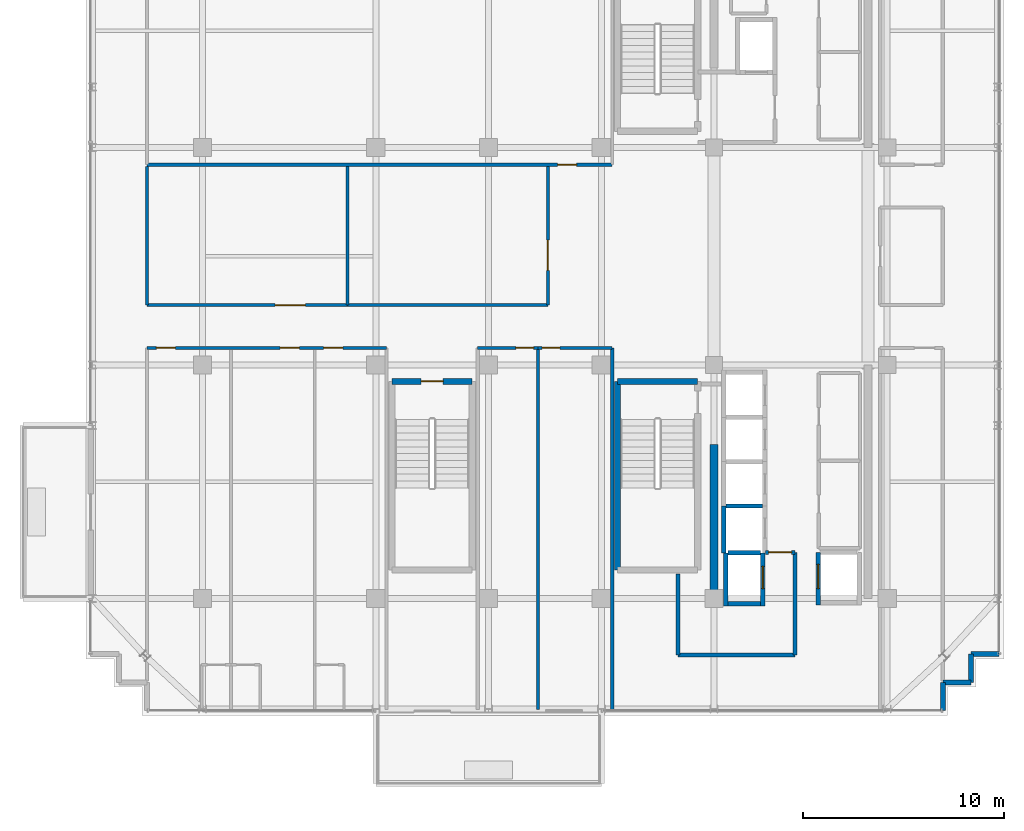
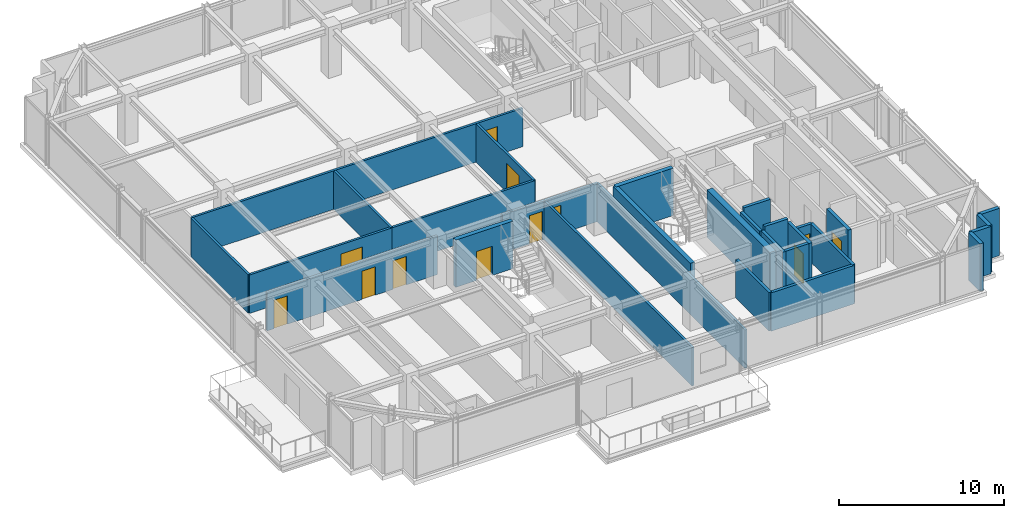
# One storey, part 25 of 31: 30 walls, 12 doors, 12 openings.
"""IFC4 building model written with IfcOpenShell, lengths in metres."""

import ifcopenshell
import ifcopenshell.guid

model = None  # the IFC model being written
_history = None  # IfcOwnerHistory: only IFC2X3 demands one
_inside = {}  # id of a spatial element -> (the spatial element, [elements in it])
_under = {}  # id of a project, library or spatial element -> (it, [spatial elements below it])
_declared = {}  # id of a project -> (the project, [libraries it declares])
_typed = {}  # id of a type object -> (the type object, [elements of that type])
_made_of = {}  # id of a material, layer set ... -> (it, [elements and type objects made of it])


def new_model(schema):
    """Start an empty IFC model of exactly this schema.

    Asked for "IFC4X3", IfcOpenShell would pick the latest addendum, in which some entities
    have other attributes; the version numbers below select the first issue.
    IFC2X3 requires an IfcOwnerHistory on every rooted entity: one is made here for all.
    """
    global model, _history
    if schema == "IFC4X3":
        model = ifcopenshell.file(schema_version=(4, 3, 0, 0))
    else:
        model = ifcopenshell.file(schema=schema)
    _inside.clear()
    _under.clear()
    _declared.clear()
    _typed.clear()
    _made_of.clear()
    _history = None
    if model.schema == "IFC2X3":
        org = make("IfcOrganization", Name="unknown")
        user = make(
            "IfcPersonAndOrganization",
            ThePerson=make("IfcPerson", FamilyName="unknown"),
            TheOrganization=org,
        )
        app = make(
            "IfcApplication",
            ApplicationDeveloper=org,
            Version="unknown",
            ApplicationFullName="unknown",
            ApplicationIdentifier="unknown",
        )
        _history = make(
            "IfcOwnerHistory",
            OwningUser=user,
            OwningApplication=app,
            ChangeAction="ADDED",
            CreationDate=0,
        )
    return model


def make(cls, **values):
    """One entity of the class cls with the attributes given. An attribute that is None is left unset."""
    return model.create_entity(
        cls, **{name: value for name, value in values.items() if value is not None}
    )


def rooted(cls, **values):
    """An entity with a GlobalId (a new one), such as an element, a storey or a relation."""
    return make(cls, GlobalId=ifcopenshell.guid.new(), OwnerHistory=_history, **values)


def si_unit(unit_type, name, prefix=None):
    """IfcSIUnit, for example si_unit("LENGTHUNIT", "METRE", prefix="MILLI")."""
    return make("IfcSIUnit", UnitType=unit_type, Prefix=prefix, Name=name)


def assignment(units):
    """IfcUnitAssignment: the units of a project."""
    return None if units is None else make("IfcUnitAssignment", Units=units)


def point(xyz):
    """IfcCartesianPoint."""
    return None if xyz is None else make("IfcCartesianPoint", Coordinates=xyz)


def direction(xyz):
    """IfcDirection."""
    return None if xyz is None else make("IfcDirection", DirectionRatios=xyz)


def frame(location, z_axis=None, x_axis=None):
    """IfcAxis2Placement3D, a coordinate frame: its origin and axes. An axis left out is left unset."""
    return make(
        "IfcAxis2Placement3D",
        Location=point(location),
        Axis=direction(z_axis),
        RefDirection=direction(x_axis),
    )


def frame_2d(location, x_axis=None):
    """IfcAxis2Placement2D, a coordinate frame in the plane: its origin and x axis."""
    return make(
        "IfcAxis2Placement2D", Location=point(location), RefDirection=direction(x_axis)
    )


def origin():
    """The frame at (0, 0, 0) with its axes left unset."""
    return frame((0.0, 0.0, 0.0))


def place(relative_to, where):
    """IfcLocalPlacement: puts the frame where relative to a parent placement (None: the world)."""
    return make(
        "IfcLocalPlacement", PlacementRelTo=relative_to, RelativePlacement=where
    )


def context(
    kind, dimensions, precision=None, world=None, true_north=None, identifier=None
):
    """IfcGeometricRepresentationContext, for example the 3D "Model" context."""
    return make(
        "IfcGeometricRepresentationContext",
        ContextIdentifier=identifier,
        ContextType=kind,
        CoordinateSpaceDimension=dimensions,
        Precision=precision,
        WorldCoordinateSystem=world,
        TrueNorth=true_north,
    )


def subcontext(parent, identifier, kind, view, scale=None):
    """IfcGeometricRepresentationSubContext, for example "Body" below "Model"."""
    return make(
        "IfcGeometricRepresentationSubContext",
        ContextIdentifier=identifier,
        ContextType=kind,
        ParentContext=parent,
        TargetScale=scale,
        TargetView=view,
    )


def project(units=None, contexts=None):
    """IfcProject with its units and contexts."""
    return rooted(
        "IfcProject",
        Name="project",
        RepresentationContexts=contexts,
        UnitsInContext=assignment(units),
    )


def spatial(cls, under=None, at=None, **own):
    """A site, building, storey or space (cls), placed at a placement, below another one or the project."""
    s = rooted(cls, ObjectPlacement=at, **own)
    if under is not None:
        _under.setdefault(under.id(), (under, []))[1].append(s)
    return s


def profile(cls, at=None, kind="AREA", **sizes):
    """A parametric profile (cls). Its sizes go by their IFC names, for example OverallWidth=200.0."""
    return make(cls, ProfileType=kind, Position=at, **sizes)


def rectangle(**sizes):
    """IfcRectangleProfileDef."""
    return profile("IfcRectangleProfileDef", **sizes)


def extrude(swept, where, along, depth):
    """IfcExtrudedAreaSolid: the profile swept, set in the frame where, extruded along a direction by depth."""
    return make(
        "IfcExtrudedAreaSolid",
        SweptArea=swept,
        Position=where,
        ExtrudedDirection=direction(along),
        Depth=depth,
    )


def shape(context_of_items, identifier, shape_type, items):
    """IfcShapeRepresentation: the items that make up one representation, for example the "Body"."""
    return make(
        "IfcShapeRepresentation",
        ContextOfItems=context_of_items,
        RepresentationIdentifier=identifier,
        RepresentationType=shape_type,
        Items=items,
    )


def source(mapping_origin, context_of_items, identifier, shape_type, items):
    """IfcRepresentationMap: a shape defined once, which mapped items show again and again."""
    return make(
        "IfcRepresentationMap",
        MappingOrigin=mapping_origin,
        MappedRepresentation=shape(context_of_items, identifier, shape_type, items),
    )


def transform(
    local_origin,
    x_axis=None,
    y_axis=None,
    z_axis=None,
    scale=None,
    scale2=None,
    scale3=None,
    uniform=True,
):
    """IfcCartesianTransformationOperator3D, or its non-uniform kind. x_axis, y_axis, z_axis: its Axis1, 2, 3."""
    if uniform:
        return make(
            "IfcCartesianTransformationOperator3D",
            Axis1=direction(x_axis),
            Axis2=direction(y_axis),
            LocalOrigin=point(local_origin),
            Scale=scale,
            Axis3=direction(z_axis),
        )
    return make(
        "IfcCartesianTransformationOperator3DnonUniform",
        Axis1=direction(x_axis),
        Axis2=direction(y_axis),
        LocalOrigin=point(local_origin),
        Scale=scale,
        Axis3=direction(z_axis),
        Scale2=scale2,
        Scale3=scale3,
    )


def mapped(mapping_source, mapping_target):
    """IfcMappedItem: shows the shape of a source again, moved by a transform."""
    return make(
        "IfcMappedItem", MappingSource=mapping_source, MappingTarget=mapping_target
    )


def material(Name=None, Category=None):
    """IfcMaterial."""
    return make("IfcMaterial", Name=Name, Category=Category)


def layer(
    of_material, thickness, ventilated=None, Name=None, Category=None, Priority=None
):
    """IfcMaterialLayer: one layer of a wall or slab, of a material (None: an air gap)."""
    return make(
        "IfcMaterialLayer",
        Material=of_material,
        LayerThickness=thickness,
        IsVentilated=ventilated,
        Name=Name,
        Category=Category,
        Priority=Priority,
    )


def layer_set(layers, Name=None):
    """IfcMaterialLayerSet."""
    return make("IfcMaterialLayerSet", MaterialLayers=layers, LayerSetName=Name)


def made_of(thing, what):
    """Note that an element or type object is made of a material, layer set ...; save() writes the relation."""
    if what is not None:
        _made_of.setdefault(what.id(), (what, []))[1].append(thing)
    return thing


def type_object(cls, material=None, **own):
    """A type object (cls), such as IfcWallType, which elements share."""
    return made_of(rooted(cls, **own), material)


def element(
    cls,
    number,
    at=None,
    inside=None,
    cuts=None,
    type_object=None,
    material=None,
    context=None,
    identifier="Body",
    shape_type=None,
    held_by="IfcProductDefinitionShape",
    body=None,
    shapes=None,
    **own,
):
    """One element of the class cls, such as IfcWall. Its Tag is "e" and its number.

    at: its placement. inside: the storey or other place that contains it. cuts: it is an
    opening in that element (IfcRelVoidsElement). A single representation is given by context,
    identifier, shape_type and body (its items); several are given by shapes. held_by: the class
    of the entity that holds the representations. save() writes the other relations.
    """
    e = rooted(cls, Tag="e%d" % number, ObjectPlacement=at, **own)
    if body is not None:
        shapes = [shape(context, identifier, shape_type, body)]
    if shapes is not None:
        e.Representation = make(held_by, Representations=shapes)
    if inside is not None:
        _inside.setdefault(inside.id(), (inside, []))[1].append(e)
    if cuts is not None:
        rooted(
            "IfcRelVoidsElement", RelatingBuildingElement=cuts, RelatedOpeningElement=e
        )
    if type_object is not None:
        _typed.setdefault(type_object.id(), (type_object, []))[1].append(e)
    return made_of(e, material)


def fill(opening, filler):
    """IfcRelFillsElement: the door or window that sits in an opening."""
    return rooted(
        "IfcRelFillsElement",
        RelatingOpeningElement=opening,
        RelatedBuildingElement=filler,
    )


def aggregate(whole, parts):
    """IfcRelAggregates: a whole, such as a stair, and the parts it consists of."""
    return rooted("IfcRelAggregates", RelatingObject=whole, RelatedObjects=parts)


def save(model, path):
    """Write the relations noted so far, then the file.

    IfcRelAggregates (storeys below a building ...), IfcRelContainedInSpatialStructure (elements
    in a storey), IfcRelDefinesByType, IfcRelAssociatesMaterial and IfcRelDeclares: one each for
    every whole, place, type object, material and project.
    """
    for whole, parts in _under.values():
        aggregate(whole, parts)
    for where, things in _inside.values():
        rooted(
            "IfcRelContainedInSpatialStructure",
            RelatedElements=things,
            RelatingStructure=where,
        )
    for kind, things in _typed.values():
        rooted("IfcRelDefinesByType", RelatedObjects=things, RelatingType=kind)
    for what, things in _made_of.values():
        rooted("IfcRelAssociatesMaterial", RelatedObjects=things, RelatingMaterial=what)
    for by, libraries in _declared.values():
        rooted("IfcRelDeclares", RelatingContext=by, RelatedDefinitions=libraries)
    model.write(path)


model = new_model("IFC4")

# Units and contexts
model_context = context("Model", 3, precision=1e-05, world=origin(), true_north=direction((0.0, 1.0)))
body_context = subcontext(model_context, "Body", "Model", "MODEL_VIEW")
ifc_project = project(units=[si_unit("LENGTHUNIT", "METRE"), si_unit("AREAUNIT", "SQUARE_METRE"), si_unit("VOLUMEUNIT", "CUBIC_METRE"), si_unit("PLANEANGLEUNIT", "RADIAN"), si_unit("MASSUNIT", "GRAM", prefix="KILO")], contexts=[model_context])

# Site, building, storey
site_placement = place(None, origin())
site = spatial("IfcSite", under=ifc_project, at=site_placement, CompositionType="ELEMENT")
building_placement = place(site_placement, origin())
building = spatial("IfcBuilding", under=site, at=building_placement, Name="Nahalor Promenade Grand Hotel", CompositionType="ELEMENT")
storey_placement = place(building_placement, frame((0.0, 0.0, 323.35009765625)))
storey = spatial("IfcBuildingStorey", under=building, at=storey_placement, Name="L83", CompositionType="ELEMENT", Elevation=323.35009765625)

# Walls
ifc_material_1 = material(Name="Concrete B-50 (C40/50)", Category="concrete")
ifc_layer_1 = layer(ifc_material_1, 0.39990234375)
ifc_layer_set_1 = layer_set([ifc_layer_1], Name="Concrete B-50 (C40/50)")
wall_type_1 = type_object("IfcWallType", Name="Wall-CoreShear-400", PredefinedType="SHEAR", material=ifc_layer_set_1)
shared_shape_1 = source(origin(), body_context, "Body", "SweptSolid", [
    extrude(rectangle(XDim=7.64990234375, YDim=0.39990234375, at=frame_2d((3.824951171875, 0.0))), origin(), (0.0, 0.0, 1.0), 3.5),
])
wall_1_placement = place(storey_placement, frame((8.39990234375, -17.0, 0.0), z_axis=(0.0, 0.0, 1.0), x_axis=(0.0, 1.0, 0.0)))
element("IfcWall", 1, at=wall_1_placement, inside=storey, type_object=wall_type_1, Name="CWALL-L83-SW", PredefinedType="SHEAR", context=body_context, shape_type="MappedRepresentation", body=[
    mapped(shared_shape_1, transform((0.0, 0.0, 0.0), scale=1.0)),
])
ifc_layer_2 = layer(ifc_material_1, 0.300048828125)
ifc_layer_set_2 = layer_set([ifc_layer_2], Name="Concrete B-50 (C40/50)")
wall_type_2 = type_object("IfcWallType", Name="Wall-ShaftShear-300", PredefinedType="SHEAR", material=ifc_layer_set_2)
shared_shape_2 = source(origin(), body_context, "Body", "SweptSolid", [
    extrude(rectangle(XDim=3.97998046875, YDim=0.300048828125, at=frame_2d((1.989990234375, 0.0))), origin(), (0.0, 0.0, 1.0), 3.5),
])
wall_2_placement = place(storey_placement, frame((3.610107421875, -6.2099609375, 0.0), z_axis=(0.0, 0.0, 1.0), x_axis=(1.0, 0.0, 0.0)))
element("IfcWall", 2, at=wall_2_placement, inside=storey, type_object=wall_type_2, Name="L83 Exit Stair ST2 Shaft Wall N", PredefinedType="SHEAR", context=body_context, shape_type="MappedRepresentation", body=[
    mapped(shared_shape_2, transform((0.0, 0.0, 0.0), scale=1.0)),
])

# Wall, opening, door
wall_3_placement = place(storey_placement, frame((-7.590087890625, -6.2099609375, 0.0), z_axis=(0.0, 0.0, 1.0), x_axis=(1.0, 0.0, 0.0)))
wall_3 = element("IfcWall", 3, at=wall_3_placement, inside=storey, type_object=wall_type_2, Name="L83 Exit Stair ST3 Shaft Wall N", PredefinedType="SHEAR", context=body_context, shape_type="MappedRepresentation", body=[
    mapped(shared_shape_2, transform((0.0, 0.0, 0.0), scale=1.0)),
])
opening_1_placement = place(wall_3_placement, frame((1.43994140625, 0.0, 0.0)))
opening_1 = element("IfcOpeningElement", 4, at=opening_1_placement, cuts=wall_3, Name="Opening D-ST1", PredefinedType="OPENING", context=body_context, shape_type="SweptSolid", body=[
    extrude(rectangle(XDim=1.10009765625, YDim=2.14990234375, at=frame_2d((0.550048828125, 1.074951171875))), frame((0.0, 0.159912109375, 0.0), z_axis=(0.0, -1.0, 0.0), x_axis=(1.0, 0.0, 0.0)), (0.0, 0.0, 1.0), 0.320068359375),
])
ifc_material_2 = material(Name="Steel S355JR", Category="steel")
door_type_1 = type_object("IfcDoorType", Name="Door-StairFire-1100", OperationType="NOTDEFINED", PredefinedType="DOOR", material=ifc_material_2)
shared_shape_3 = source(origin(), body_context, "Body", "SweptSolid", [
    extrude(rectangle(XDim=1.10009765625, YDim=2.14990234375, at=frame_2d((0.550048828125, 1.074951171875))), frame((0.0, 0.02490234375, 0.0), z_axis=(0.0, -1.0, 0.0), x_axis=(1.0, 0.0, 0.0)), (0.0, 0.0, 1.0), 0.050048828125),
])
door_1_placement = place(opening_1_placement, frame((1.10009765625, 0.0, 0.0), z_axis=(0.0, 0.0, 1.0), x_axis=(-1.0, 0.0, 0.0)))
door_1 = element("IfcDoor", 5, at=door_1_placement, inside=storey, type_object=door_type_1, Name="DR-STAIR-ST3-L83", OperationType="SINGLE_SWING_RIGHT", OverallHeight=2.14990234375, OverallWidth=1.10009765625, PredefinedType="DOOR", context=body_context, shape_type="MappedRepresentation", body=[
    mapped(shared_shape_3, transform((0.0, 0.0, 0.0), scale=1.0)),
])
fill(opening_1, door_1)

# Walls
shared_shape_4 = source(origin(), body_context, "Body", "SweptSolid", [
    extrude(rectangle(XDim=9.380126953125, YDim=0.300048828125, at=frame_2d((4.68994140625, 0.0))), origin(), (0.0, 0.0, 1.0), 3.5),
])
wall_4_placement = place(storey_placement, frame((3.610107421875, -15.590087890625, 0.0), z_axis=(0.0, 0.0, 1.0), x_axis=(0.0, 1.0, 0.0)))
element("IfcWall", 6, at=wall_4_placement, inside=storey, type_object=wall_type_2, Name="L83 Exit Stair ST2 Shaft Wall W", PredefinedType="SHEAR", context=body_context, shape_type="MappedRepresentation", body=[
    mapped(shared_shape_4, transform((0.0, 0.0, 0.0), scale=1.0)),
])
ifc_layer_3 = layer(ifc_material_1, 0.219970703125)
ifc_layer_set_3 = layer_set([ifc_layer_3], Name="Concrete B-50 (C40/50)")
wall_type_3 = type_object("IfcWallType", Name="Wall-LiftShaft-220", PredefinedType="SHEAR", material=ifc_layer_set_3)
shared_shape_5 = source(origin(), body_context, "Body", "SweptSolid", [
    extrude(rectangle(XDim=1.820068359375, YDim=0.219970703125, at=frame_2d((0.91015625, 0.0))), origin(), (0.0, 0.0, 1.0), 3.7998046875),
])
wall_5_placement = place(storey_placement, frame((8.989990234375, -12.39990234375, 0.0), z_axis=(0.0, 0.0, 1.0), x_axis=(1.0, 0.0, 0.0)))
element("IfcWall", 7, at=wall_5_placement, inside=storey, type_object=wall_type_3, Name="L83 Lift PL12 Hoistway Wall N", PredefinedType="SHEAR", context=body_context, shape_type="MappedRepresentation", body=[
    mapped(shared_shape_5, transform((0.0, 0.0, 0.0), scale=1.0)),
])
shared_shape_6 = source(origin(), body_context, "Body", "SweptSolid", [
    extrude(rectangle(XDim=2.3251953125, YDim=0.219970703125, at=frame_2d((1.16259765625, 0.0))), origin(), (0.0, 0.0, 1.0), 3.5),
])
wall_6_placement = place(storey_placement, frame((8.8798828125, -14.72509765625, 0.0), z_axis=(0.0, 0.0, 1.0), x_axis=(0.0, 1.0, 0.0)))
element("IfcWall", 8, at=wall_6_placement, inside=storey, type_object=wall_type_3, Name="L83 Lift PL12 Hoistway Wall W", PredefinedType="SHEAR", context=body_context, shape_type="MappedRepresentation", body=[
    mapped(shared_shape_6, transform((0.0, 0.0, 0.0), scale=1.0)),
])
shared_shape_7 = source(origin(), body_context, "Body", "SweptSolid", [
    extrude(rectangle(XDim=2.635009765625, YDim=0.219970703125, at=frame_2d((1.3173828125, 0.0))), origin(), (0.0, 0.0, 1.0), 3.5),
])
wall_7_placement = place(storey_placement, frame((8.97998046875, -17.360107421875, 0.0), z_axis=(0.0, 0.0, 1.0), x_axis=(0.0, 1.0, 0.0)))
element("IfcWall", 9, at=wall_7_placement, inside=storey, type_object=wall_type_3, Name="L83 Lift FL2 Hoistway Wall W", PredefinedType="SHEAR", context=body_context, shape_type="MappedRepresentation", body=[
    mapped(shared_shape_7, transform((0.0, 0.0, 0.0), scale=1.0)),
])

# Wall, opening, door
wall_8_placement = place(storey_placement, frame((10.820068359375, -17.360107421875, 0.0), z_axis=(0.0, 0.0, 1.0), x_axis=(0.0, 1.0, 0.0)))
wall_8 = element("IfcWall", 10, at=wall_8_placement, inside=storey, type_object=wall_type_3, Name="L83 Lift FL2 Hoistway Wall E", PredefinedType="SHEAR", context=body_context, shape_type="MappedRepresentation", body=[
    mapped(shared_shape_7, transform((0.0, 0.0, 0.0), scale=1.0)),
])
opening_2_placement = place(wall_8_placement, frame((0.860107421875, 0.0, 0.0)))
opening_2 = element("IfcOpeningElement", 11, at=opening_2_placement, cuts=wall_8, Name="Opening LD-02", PredefinedType="OPENING", context=body_context, shape_type="SweptSolid", body=[
    extrude(rectangle(XDim=1.10009765625, YDim=2.199951171875, at=frame_2d((0.550048828125, 1.10009765625))), frame((0.0, 0.119873046875, 0.0), z_axis=(0.0, -1.0, 0.0), x_axis=(1.0, 0.0, 0.0)), (0.0, 0.0, 1.0), 0.239990234375),
])
door_type_2 = type_object("IfcDoorType", Name="Door-LiftFF-1100", OperationType="DOUBLE_DOOR_SLIDING", PredefinedType="DOOR", material=ifc_material_2)
shared_shape_8 = source(origin(), body_context, "Body", "SweptSolid", [
    extrude(rectangle(XDim=1.10009765625, YDim=2.199951171875, at=frame_2d((0.550048828125, 1.10009765625))), frame((0.0, 0.02490234375, 0.0), z_axis=(0.0, -1.0, 0.0), x_axis=(1.0, 0.0, 0.0)), (0.0, 0.0, 1.0), 0.050048828125),
])
door_2_placement = place(opening_2_placement, frame((1.10009765625, 0.0, 0.0), z_axis=(0.0, 0.0, 1.0), x_axis=(-1.0, 0.0, 0.0)))
door_2 = element("IfcDoor", 12, at=door_2_placement, inside=storey, type_object=door_type_2, Name="DR-LIFT-FL2-L83", OperationType="DOUBLE_DOOR_SLIDING", OverallHeight=2.199951171875, OverallWidth=1.10009765625, PredefinedType="DOOR", context=body_context, shape_type="MappedRepresentation", body=[
    mapped(shared_shape_8, transform((0.0, 0.0, 0.0), scale=1.0)),
])
fill(opening_2, door_2)

# Walls
shared_shape_9 = source(origin(), body_context, "Body", "SweptSolid", [
    extrude(rectangle(XDim=1.619873046875, YDim=0.219970703125, at=frame_2d((0.81005859375, 0.0))), origin(), (0.0, 0.0, 1.0), 3.5),
])
wall_9_placement = place(storey_placement, frame((9.090087890625, -17.25, 0.0), z_axis=(0.0, 0.0, 1.0), x_axis=(1.0, 0.0, 0.0)))
element("IfcWall", 13, at=wall_9_placement, inside=storey, type_object=wall_type_3, Name="L83 Lift FL2 Hoistway Wall S", PredefinedType="SHEAR", context=body_context, shape_type="MappedRepresentation", body=[
    mapped(shared_shape_9, transform((0.0, 0.0, 0.0), scale=1.0)),
])
shared_shape_10 = source(origin(), body_context, "Body", "SweptSolid", [
    extrude(rectangle(XDim=1.619873046875, YDim=0.219970703125, at=frame_2d((0.81005859375, 0.0))), origin(), (0.0, 0.0, 1.0), 3.7998046875),
])
wall_10_placement = place(storey_placement, frame((9.090087890625, -14.72509765625, 0.0), z_axis=(0.0, 0.0, 1.0), x_axis=(1.0, 0.0, 0.0)))
element("IfcWall", 14, at=wall_10_placement, inside=storey, type_object=wall_type_3, Name="L83 Lift FL2 Hoistway Wall N", PredefinedType="SHEAR", context=body_context, shape_type="MappedRepresentation", body=[
    mapped(shared_shape_10, transform((0.0, 0.0, 0.0), scale=1.0)),
])

# Wall, opening, door
shared_shape_11 = source(origin(), body_context, "Body", "SweptSolid", [
    extrude(rectangle(XDim=2.610107421875, YDim=0.219970703125, at=frame_2d((1.30517578125, 0.0))), origin(), (0.0, 0.0, 1.0), 3.5),
])
wall_11_placement = place(storey_placement, frame((13.580078125, -17.31005859375, 0.0), z_axis=(0.0, 0.0, 1.0), x_axis=(0.0, 1.0, 0.0)))
wall_11 = element("IfcWall", 15, at=wall_11_placement, inside=storey, type_object=wall_type_3, Name="L83 Lift SV2 Hoistway Wall W", PredefinedType="SHEAR", context=body_context, shape_type="MappedRepresentation", body=[
    mapped(shared_shape_11, transform((0.0, 0.0, 0.0), scale=1.0)),
])
opening_3_placement = place(wall_11_placement, frame((0.81005859375, 0.0, 0.0)))
opening_3 = element("IfcOpeningElement", 16, at=opening_3_placement, cuts=wall_11, Name="Opening LD-03", PredefinedType="OPENING", context=body_context, shape_type="SweptSolid", body=[
    extrude(rectangle(XDim=1.199951171875, YDim=2.199951171875, at=frame_2d((0.60009765625, 1.10009765625))), frame((0.0, 0.119873046875, 0.0), z_axis=(0.0, -1.0, 0.0), x_axis=(1.0, 0.0, 0.0)), (0.0, 0.0, 1.0), 0.239990234375),
])
door_type_3 = type_object("IfcDoorType", Name="Door-LiftService-1200", OperationType="DOUBLE_DOOR_SLIDING", PredefinedType="DOOR", material=ifc_material_2)
shared_shape_12 = source(origin(), body_context, "Body", "SweptSolid", [
    extrude(rectangle(XDim=1.199951171875, YDim=2.199951171875, at=frame_2d((0.60009765625, 1.10009765625))), frame((0.0, 0.02490234375, 0.0), z_axis=(0.0, -1.0, 0.0), x_axis=(1.0, 0.0, 0.0)), (0.0, 0.0, 1.0), 0.050048828125),
])
door_3_placement = place(opening_3_placement, origin())
door_3 = element("IfcDoor", 17, at=door_3_placement, inside=storey, type_object=door_type_3, Name="DR-LIFT-SV2-L83", OperationType="DOUBLE_DOOR_SLIDING", OverallHeight=2.199951171875, OverallWidth=1.199951171875, PredefinedType="DOOR", context=body_context, shape_type="MappedRepresentation", body=[
    mapped(shared_shape_12, transform((0.0, 0.0, 0.0), scale=1.0)),
])
fill(opening_3, door_3)

# Walls
ifc_material_3 = material(Name="Concrete B-40 (C32/40)", Category="concrete")
ifc_layer_4 = layer(ifc_material_3, 0.25)
ifc_layer_set_4 = layer_set([ifc_layer_4], Name="Concrete B-40 (C32/40)")
wall_type_4 = type_object("IfcWallType", Name="Wall-BronzePier-250", PredefinedType="STANDARD", material=ifc_layer_set_4)
shared_shape_13 = source(origin(), body_context, "Body", "SweptSolid", [
    extrude(rectangle(XDim=1.400146484375, YDim=0.25, at=frame_2d((0.7001953125, 0.0))), origin(), (0.0, 0.0, 1.0), 3.5),
])
for number, where, z_axis, x_axis, name in (
    (18, (19.760009765625, -22.56005859375, 0.0), (0.0, 0.0, 1.0), (0.0, 1.0, 0.0), "W-L83-SR-01"),
    (19, (21.159912109375, -19.760009765625, 0.0), (0.0, 0.0, 1.0), (1.0, 0.0, 0.0), "W-L83-SR-04"),
):
    element("IfcWall", number, at=place(storey_placement, frame(where, z_axis=z_axis, x_axis=x_axis)), inside=storey, type_object=wall_type_4, Name=name, PredefinedType="STANDARD", context=body_context, shape_type="MappedRepresentation", body=[
        mapped(shared_shape_13, transform((0.0, 0.0, 0.0), scale=1.0)),
    ])
shared_shape_14 = source(origin(), body_context, "Body", "SweptSolid", [
    extrude(rectangle(XDim=1.39990234375, YDim=0.25, at=frame_2d((0.699951171875, 0.0))), origin(), (0.0, 0.0, 1.0), 3.5),
])
for number, where, z_axis, x_axis, name in (
    (20, (19.760009765625, -21.159912109375, 0.0), (0.0, 0.0, 1.0), (1.0, 0.0, 0.0), "W-L83-SR-02"),
    (21, (21.159912109375, -21.159912109375, 0.0), (0.0, 0.0, 1.0), (0.0, 1.0, 0.0), "W-L83-SR-03"),
):
    element("IfcWall", number, at=place(storey_placement, frame(where, z_axis=z_axis, x_axis=x_axis)), inside=storey, type_object=wall_type_4, Name=name, PredefinedType="STANDARD", context=body_context, shape_type="MappedRepresentation", body=[
        mapped(shared_shape_14, transform((0.0, 0.0, 0.0), scale=1.0)),
    ])
ifc_layer_5 = layer(ifc_material_3, 0.199951171875)
ifc_layer_set_5 = layer_set([ifc_layer_5], Name="Concrete B-40 (C32/40)")
wall_type_5 = type_object("IfcWallType", Name="Wall-PartFire-200", PredefinedType="PARTITIONING", material=ifc_layer_set_5)
shared_shape_15 = source(origin(), body_context, "Body", "SweptSolid", [
    extrude(rectangle(XDim=5.81982421875, YDim=0.199951171875, at=frame_2d((2.909912109375, 0.0))), origin(), (0.0, 0.0, 1.0), 2.83984375),
])
wall_12_placement = place(storey_placement, frame((6.60009765625, -19.800048828125, 0.0), z_axis=(0.0, 0.0, 1.0), x_axis=(1.0, 0.0, 0.0)))
element("IfcWall", 22, at=wall_12_placement, inside=storey, type_object=wall_type_5, Name="W-L83-FF2-S1", PredefinedType="PARTITIONING", context=body_context, shape_type="MappedRepresentation", body=[
    mapped(shared_shape_15, transform((0.0, 0.0, 0.0), scale=1.0)),
])
shared_shape_16 = source(origin(), body_context, "Body", "SweptSolid", [
    extrude(rectangle(XDim=4.030029296875, YDim=0.199951171875, at=frame_2d((2.01513671875, 0.0))), origin(), (0.0, 0.0, 1.0), 2.83984375),
])
wall_13_placement = place(storey_placement, frame((6.60009765625, -19.800048828125, 0.0), z_axis=(0.0, 0.0, 1.0), x_axis=(0.0, 1.0, 0.0)))
element("IfcWall", 23, at=wall_13_placement, inside=storey, type_object=wall_type_5, Name="W-L83-FF2-W1", PredefinedType="PARTITIONING", context=body_context, shape_type="MappedRepresentation", body=[
    mapped(shared_shape_16, transform((0.0, 0.0, 0.0), scale=1.0)),
])
shared_shape_17 = source(origin(), body_context, "Body", "SweptSolid", [
    extrude(rectangle(XDim=5.10009765625, YDim=0.199951171875, at=frame_2d((2.550048828125, 0.0))), origin(), (0.0, 0.0, 1.0), 2.83984375),
])
wall_14_placement = place(storey_placement, frame((12.419921875, -19.800048828125, 0.0), z_axis=(0.0, 0.0, 1.0), x_axis=(0.0, 1.0, 0.0)))
element("IfcWall", 24, at=wall_14_placement, inside=storey, type_object=wall_type_5, Name="W-L83-FF2-E", PredefinedType="PARTITIONING", context=body_context, shape_type="MappedRepresentation", body=[
    mapped(shared_shape_17, transform((0.0, 0.0, 0.0), scale=1.0)),
])

# Wall, opening, door
shared_shape_18 = source(origin(), body_context, "Body", "SweptSolid", [
    extrude(rectangle(XDim=1.4599609375, YDim=0.199951171875, at=frame_2d((0.72998046875, 0.0))), origin(), (0.0, 0.0, 1.0), 2.83984375),
])
wall_15_placement = place(storey_placement, frame((10.9599609375, -14.699951171875, 0.0), z_axis=(0.0, 0.0, 1.0), x_axis=(1.0, 0.0, 0.0)))
wall_15 = element("IfcWall", 25, at=wall_15_placement, inside=storey, type_object=wall_type_5, Name="W-L83-FF2-N1", PredefinedType="PARTITIONING", context=body_context, shape_type="MappedRepresentation", body=[
    mapped(shared_shape_18, transform((0.0, 0.0, 0.0), scale=1.0)),
])
opening_4_placement = place(wall_15_placement, frame((0.14501953125, 0.0, 0.0)))
opening_4 = element("IfcOpeningElement", 26, at=opening_4_placement, cuts=wall_15, Name="Opening D-FF1", PredefinedType="OPENING", context=body_context, shape_type="SweptSolid", body=[
    extrude(rectangle(XDim=1.14990234375, YDim=2.14990234375, at=frame_2d((0.574951171875, 1.074951171875))), frame((0.0, 0.10986328125, 0.0), z_axis=(0.0, -1.0, 0.0), x_axis=(1.0, 0.0, 0.0)), (0.0, 0.0, 1.0), 0.219970703125),
])
door_type_4 = type_object("IfcDoorType", Name="Door-FFLobby-1150", OperationType="NOTDEFINED", PredefinedType="DOOR", material=ifc_material_2)
shared_shape_19 = source(origin(), body_context, "Body", "SweptSolid", [
    extrude(rectangle(XDim=1.14990234375, YDim=2.14990234375, at=frame_2d((0.574951171875, 1.074951171875))), frame((0.0, 0.02490234375, 0.0), z_axis=(0.0, -1.0, 0.0), x_axis=(1.0, 0.0, 0.0)), (0.0, 0.0, 1.0), 0.050048828125),
])
door_4_placement = place(opening_4_placement, origin())
door_4 = element("IfcDoor", 27, at=door_4_placement, inside=storey, type_object=door_type_4, Name="DR-L83-FFL2", OperationType="SINGLE_SWING_LEFT", OverallHeight=2.14990234375, OverallWidth=1.14990234375, PredefinedType="DOOR", context=body_context, shape_type="MappedRepresentation", body=[
    mapped(shared_shape_19, transform((0.0, 0.0, 0.0), scale=1.0)),
])
fill(opening_4, door_4)

# Walls
ifc_material_4 = material(Name="Acoustic Mineral Gypsum", Category="gypsum")
ifc_layer_6 = layer(ifc_material_4, 0.159912109375)
ifc_layer_set_6 = layer_set([ifc_layer_6], Name="Acoustic Mineral Gypsum")
wall_type_6 = type_object("IfcWallType", Name="Wall-PartCorridor-160", PredefinedType="PARTITIONING", material=ifc_layer_set_6)
shared_shape_20 = source(origin(), body_context, "Body", "SweptSolid", [
    extrude(rectangle(XDim=17.949951171875, YDim=0.159912109375, at=frame_2d((8.97509765625, 0.0))), origin(), (0.0, 0.0, 1.0), 2.83984375),
])
for number, where, z_axis, x_axis, name in (
    (28, (-0.35009765625, -22.5, 0.0), (0.0, 0.0, 1.0), (0.0, 1.0, 0.0), "W-L83-SCB1-E"),
    (29, (3.340087890625, -22.5, 0.0), (0.0, 0.0, 1.0), (0.0, 1.0, 0.0), "W-L83-SCB2-E"),
):
    element("IfcWall", number, at=place(storey_placement, frame(where, z_axis=z_axis, x_axis=x_axis)), inside=storey, type_object=wall_type_6, Name=name, PredefinedType="PARTITIONING", context=body_context, shape_type="MappedRepresentation", body=[
        mapped(shared_shape_20, transform((0.0, 0.0, 0.0), scale=1.0)),
    ])

# Wall, opening, door
shared_shape_21 = source(origin(), body_context, "Body", "SweptSolid", [
    extrude(rectangle(XDim=23.10009765625, YDim=0.159912109375, at=frame_2d((11.550048828125, 0.0))), origin(), (0.0, 0.0, 1.0), 2.83984375),
])
wall_16_placement = place(storey_placement, frame((-19.760009765625, 4.550048828125, 0.0), z_axis=(0.0, 0.0, 1.0), x_axis=(1.0, 0.0, 0.0)))
wall_16 = element("IfcWall", 30, at=wall_16_placement, inside=storey, type_object=wall_type_6, Name="W-L83-CORR-N", PredefinedType="PARTITIONING", context=body_context, shape_type="MappedRepresentation", body=[
    mapped(shared_shape_21, transform((0.0, 0.0, 0.0), scale=1.0)),
])
opening_5_placement = place(wall_16_placement, frame((20.385009765625, 0.0, 0.0)))
opening_5 = element("IfcOpeningElement", 31, at=opening_5_placement, cuts=wall_16, Name="Opening D-01", PredefinedType="OPENING", context=body_context, shape_type="SweptSolid", body=[
    extrude(rectangle(XDim=0.949951171875, YDim=2.10009765625, at=frame_2d((0.47509765625, 1.050048828125))), frame((0.0, 0.08984375, 0.0), z_axis=(0.0, -1.0, 0.0), x_axis=(1.0, 0.0, 0.0)), (0.0, 0.0, 1.0), 0.179931640625),
])
ifc_material_5 = material(Name="Fire-Rated Timber Composite", Category="wood")
door_type_5 = type_object("IfcDoorType", Name="Door-GuestEntry-950", OperationType="NOTDEFINED", PredefinedType="DOOR", material=ifc_material_5)
shared_shape_22 = source(origin(), body_context, "Body", "SweptSolid", [
    extrude(rectangle(XDim=0.949951171875, YDim=2.10009765625, at=frame_2d((0.47509765625, 1.050048828125))), frame((0.0, 0.02490234375, 0.0), z_axis=(0.0, -1.0, 0.0), x_axis=(1.0, 0.0, 0.0)), (0.0, 0.0, 1.0), 0.050048828125),
])
door_5_placement = place(opening_5_placement, origin())
door_5 = element("IfcDoor", 32, at=door_5_placement, inside=storey, type_object=door_type_5, Name="DR-L83-N1-ENT", OperationType="SINGLE_SWING_LEFT", OverallHeight=2.10009765625, OverallWidth=0.949951171875, PredefinedType="DOOR", context=body_context, shape_type="MappedRepresentation", body=[
    mapped(shared_shape_22, transform((0.0, 0.0, 0.0), scale=1.0)),
])
fill(opening_5, door_5)

# Wall, openings, doors
shared_shape_23 = source(origin(), body_context, "Body", "SweptSolid", [
    extrude(rectangle(XDim=11.89990234375, YDim=0.159912109375, at=frame_2d((5.949951171875, 0.0))), origin(), (0.0, 0.0, 1.0), 2.83984375),
])
wall_17_placement = place(storey_placement, frame((-19.760009765625, -4.550048828125, 0.0), z_axis=(0.0, 0.0, 1.0), x_axis=(1.0, 0.0, 0.0)))
wall_17 = element("IfcWall", 33, at=wall_17_placement, inside=storey, type_object=wall_type_6, Name="W-L83-CORR-S", PredefinedType="PARTITIONING", context=body_context, shape_type="MappedRepresentation", body=[
    mapped(shared_shape_23, transform((0.0, 0.0, 0.0), scale=1.0)),
])
opening_6_placement = place(wall_17_placement, frame((0.45703125, 0.0, 0.0)))
opening_6 = element("IfcOpeningElement", 34, at=opening_6_placement, cuts=wall_17, Name="Opening D-01", PredefinedType="OPENING", context=body_context, shape_type="SweptSolid", body=[
    extrude(rectangle(XDim=0.949951171875, YDim=2.10009765625, at=frame_2d((0.47509765625, 1.050048828125))), frame((0.0, 0.08984375, 0.0), z_axis=(0.0, -1.0, 0.0), x_axis=(1.0, 0.0, 0.0)), (0.0, 0.0, 1.0), 0.179931640625),
])
opening_7_placement = place(wall_17_placement, frame((6.60888671875, 0.0, 0.0)))
opening_7 = element("IfcOpeningElement", 35, at=opening_7_placement, cuts=wall_17, Name="Opening D-01", PredefinedType="OPENING", context=body_context, shape_type="SweptSolid", body=[
    extrude(rectangle(XDim=0.949951171875, YDim=2.10009765625, at=frame_2d((0.47509765625, 1.050048828125))), frame((0.0, 0.08984375, 0.0), z_axis=(0.0, -1.0, 0.0), x_axis=(1.0, 0.0, 0.0)), (0.0, 0.0, 1.0), 0.179931640625),
])
opening_8_placement = place(wall_17_placement, frame((8.77392578125, 0.0, 0.0)))
opening_8 = element("IfcOpeningElement", 36, at=opening_8_placement, cuts=wall_17, Name="Opening D-01", PredefinedType="OPENING", context=body_context, shape_type="SweptSolid", body=[
    extrude(rectangle(XDim=0.949951171875, YDim=2.10009765625, at=frame_2d((0.47509765625, 1.050048828125))), frame((0.0, 0.08984375, 0.0), z_axis=(0.0, -1.0, 0.0), x_axis=(1.0, 0.0, 0.0)), (0.0, 0.0, 1.0), 0.179931640625),
])
door_6_placement = place(opening_6_placement, frame((0.949951171875, 0.0, 0.0), z_axis=(0.0, 0.0, 1.0), x_axis=(-1.0, 0.0, 0.0)))
door_6 = element("IfcDoor", 37, at=door_6_placement, inside=storey, type_object=door_type_5, Name="DR-L83-S1-ENT", OperationType="SINGLE_SWING_LEFT", OverallHeight=2.10009765625, OverallWidth=0.949951171875, PredefinedType="DOOR", context=body_context, shape_type="MappedRepresentation", body=[
    mapped(shared_shape_22, transform((0.0, 0.0, 0.0), scale=1.0)),
])
fill(opening_6, door_6)
door_7_placement = place(opening_7_placement, frame((0.949951171875, 0.0, 0.0), z_axis=(0.0, 0.0, 1.0), x_axis=(-1.0, 0.0, 0.0)))
door_7 = element("IfcDoor", 38, at=door_7_placement, inside=storey, type_object=door_type_5, Name="DR-L83-S2-ENT", OperationType="SINGLE_SWING_LEFT", OverallHeight=2.10009765625, OverallWidth=0.949951171875, PredefinedType="DOOR", context=body_context, shape_type="MappedRepresentation", body=[
    mapped(shared_shape_22, transform((0.0, 0.0, 0.0), scale=1.0)),
])
fill(opening_7, door_7)
door_8_placement = place(opening_8_placement, frame((0.949951171875, 0.0, 0.0), z_axis=(0.0, 0.0, 1.0), x_axis=(-1.0, 0.0, 0.0)))
door_8 = element("IfcDoor", 39, at=door_8_placement, inside=storey, type_object=door_type_5, Name="DR-L83-S3-ENT", OperationType="SINGLE_SWING_LEFT", OverallHeight=2.10009765625, OverallWidth=0.949951171875, PredefinedType="DOOR", context=body_context, shape_type="MappedRepresentation", body=[
    mapped(shared_shape_22, transform((0.0, 0.0, 0.0), scale=1.0)),
])
fill(opening_8, door_8)

# Wall, opening, door
shared_shape_24 = source(origin(), body_context, "Body", "SweptSolid", [
    extrude(rectangle(XDim=2.989990234375, YDim=0.159912109375, at=frame_2d((1.4951171875, 0.0))), origin(), (0.0, 0.0, 1.0), 2.83984375),
])
wall_18_placement = place(storey_placement, frame((-3.340087890625, -4.550048828125, 0.0), z_axis=(0.0, 0.0, 1.0), x_axis=(1.0, 0.0, 0.0)))
wall_18 = element("IfcWall", 40, at=wall_18_placement, inside=storey, type_object=wall_type_6, Name="W-L83-SCB1-N", PredefinedType="PARTITIONING", context=body_context, shape_type="MappedRepresentation", body=[
    mapped(shared_shape_24, transform((0.0, 0.0, 0.0), scale=1.0)),
])
opening_9_placement = place(wall_18_placement, frame((1.89990234375, 0.0, 0.0)))
opening_9 = element("IfcOpeningElement", 41, at=opening_9_placement, cuts=wall_18, Name="Opening D-03", PredefinedType="OPENING", context=body_context, shape_type="SweptSolid", body=[
    extrude(rectangle(XDim=0.8798828125, YDim=2.10009765625, at=frame_2d((0.43994140625, 1.050048828125))), frame((0.0, 0.08984375, 0.0), z_axis=(0.0, -1.0, 0.0), x_axis=(1.0, 0.0, 0.0)), (0.0, 0.0, 1.0), 0.179931640625),
])
door_type_6 = type_object("IfcDoorType", Name="Door-BathSwing-880", OperationType="NOTDEFINED", PredefinedType="DOOR", material=ifc_material_5)
shared_shape_25 = source(origin(), body_context, "Body", "SweptSolid", [
    extrude(rectangle(XDim=0.8798828125, YDim=2.10009765625, at=frame_2d((0.43994140625, 1.050048828125))), frame((0.0, 0.02490234375, 0.0), z_axis=(0.0, -1.0, 0.0), x_axis=(1.0, 0.0, 0.0)), (0.0, 0.0, 1.0), 0.050048828125),
])
door_9_placement = place(opening_9_placement, frame((0.8798828125, 0.0, 0.0), z_axis=(0.0, 0.0, 1.0), x_axis=(-1.0, 0.0, 0.0)))
door_9 = element("IfcDoor", 42, at=door_9_placement, inside=storey, type_object=door_type_6, Name="DR-L83-SCB1", OperationType="SINGLE_SWING_RIGHT", OverallHeight=2.10009765625, OverallWidth=0.8798828125, PredefinedType="DOOR", context=body_context, shape_type="MappedRepresentation", body=[
    mapped(shared_shape_25, transform((0.0, 0.0, 0.0), scale=1.0)),
])
fill(opening_9, door_9)

shared_shape_26 = source(origin(), body_context, "Body", "SweptSolid", [
    extrude(rectangle(XDim=3.690185546875, YDim=0.159912109375, at=frame_2d((1.84521484375, 0.0))), origin(), (0.0, 0.0, 1.0), 2.83984375),
])
wall_19_placement = place(storey_placement, frame((-0.35009765625, -4.550048828125, 0.0), z_axis=(0.0, 0.0, 1.0), x_axis=(1.0, 0.0, 0.0)))
wall_19 = element("IfcWall", 43, at=wall_19_placement, inside=storey, type_object=wall_type_6, Name="W-L83-SCB2-N", PredefinedType="PARTITIONING", context=body_context, shape_type="MappedRepresentation", body=[
    mapped(shared_shape_26, transform((0.0, 0.0, 0.0), scale=1.0)),
])
opening_10_placement = place(wall_19_placement, frame((0.2099609375, 0.0, 0.0)))
opening_10 = element("IfcOpeningElement", 44, at=opening_10_placement, cuts=wall_19, Name="Opening D-03", PredefinedType="OPENING", context=body_context, shape_type="SweptSolid", body=[
    extrude(rectangle(XDim=0.8798828125, YDim=2.10009765625, at=frame_2d((0.43994140625, 1.050048828125))), frame((0.0, 0.08984375, 0.0), z_axis=(0.0, -1.0, 0.0), x_axis=(1.0, 0.0, 0.0)), (0.0, 0.0, 1.0), 0.179931640625),
])
door_10_placement = place(opening_10_placement, frame((0.8798828125, 0.0, 0.0), z_axis=(0.0, 0.0, 1.0), x_axis=(-1.0, 0.0, 0.0)))
door_10 = element("IfcDoor", 45, at=door_10_placement, inside=storey, type_object=door_type_6, Name="DR-L83-SCB2", OperationType="SINGLE_SWING_LEFT", OverallHeight=2.10009765625, OverallWidth=0.8798828125, PredefinedType="DOOR", context=body_context, shape_type="MappedRepresentation", body=[
    mapped(shared_shape_25, transform((0.0, 0.0, 0.0), scale=1.0)),
])
fill(opening_10, door_10)

shared_shape_27 = source(origin(), body_context, "Body", "SweptSolid", [
    extrude(rectangle(XDim=9.955078125, YDim=0.159912109375, at=frame_2d((4.9775390625, 0.0))), origin(), (0.0, 0.0, 1.0), 2.83984375),
])
wall_20_placement = place(storey_placement, frame((-19.760009765625, -2.419921875, 0.0), z_axis=(0.0, 0.0, 1.0), x_axis=(1.0, 0.0, 0.0)))
wall_20 = element("IfcWall", 46, at=wall_20_placement, inside=storey, type_object=wall_type_6, Name="W-L83-ZW1-S", PredefinedType="PARTITIONING", context=body_context, shape_type="MappedRepresentation", body=[
    mapped(shared_shape_27, transform((0.0, 0.0, 0.0), scale=1.0)),
])
opening_11_placement = place(wall_20_placement, frame((6.364990234375, 0.0, 0.0)))
opening_11 = element("IfcOpeningElement", 47, at=opening_11_placement, cuts=wall_20, Name="Opening D-02", PredefinedType="OPENING", context=body_context, shape_type="SweptSolid", body=[
    extrude(rectangle(XDim=1.5, YDim=2.14990234375, at=frame_2d((0.75, 1.074951171875))), frame((0.0, 0.08984375, 0.0), z_axis=(0.0, -1.0, 0.0), x_axis=(1.0, 0.0, 0.0)), (0.0, 0.0, 1.0), 0.179931640625),
])
door_type_7 = type_object("IfcDoorType", Name="Door-SuiteDouble-1500", OperationType="DOUBLE_DOOR_SINGLE_SWING", PredefinedType="DOOR", material=ifc_material_5)
shared_shape_28 = source(origin(), body_context, "Body", "SweptSolid", [
    extrude(rectangle(XDim=1.5, YDim=2.14990234375, at=frame_2d((0.75, 1.074951171875))), frame((0.0, 0.02490234375, 0.0), z_axis=(0.0, -1.0, 0.0), x_axis=(1.0, 0.0, 0.0)), (0.0, 0.0, 1.0), 0.050048828125),
])
door_11_placement = place(opening_11_placement, origin())
door_11 = element("IfcDoor", 48, at=door_11_placement, inside=storey, type_object=door_type_7, Name="DR-L83-ZW1", OperationType="DOUBLE_DOOR_SINGLE_SWING", OverallHeight=2.14990234375, OverallWidth=1.5, PredefinedType="DOOR", context=body_context, shape_type="MappedRepresentation", body=[
    mapped(shared_shape_28, transform((0.0, 0.0, 0.0), scale=1.0)),
])
fill(opening_11, door_11)

# Walls
shared_shape_29 = source(origin(), body_context, "Body", "SweptSolid", [
    extrude(rectangle(XDim=6.889892578125, YDim=0.159912109375, at=frame_2d((3.44482421875, 0.0))), origin(), (0.0, 0.0, 1.0), 2.83984375),
])
for number, where, z_axis, x_axis, name in (
    (49, (-19.760009765625, -2.419921875, 0.0), (0.0, 0.0, 1.0), (0.0, 1.0, 0.0), "W-L83-ZW1-W"),
    (50, (-9.804931640625, -2.419921875, 0.0), (0.0, 0.0, 1.0), (0.0, 1.0, 0.0), "W-L83-ZW1-E"),
):
    element("IfcWall", number, at=place(storey_placement, frame(where, z_axis=z_axis, x_axis=x_axis)), inside=storey, type_object=wall_type_6, Name=name, PredefinedType="PARTITIONING", context=body_context, shape_type="MappedRepresentation", body=[
        mapped(shared_shape_29, transform((0.0, 0.0, 0.0), scale=1.0)),
    ])

# Wall, opening, door
wall_21_placement = place(storey_placement, frame((0.14990234375, -2.419921875, 0.0), z_axis=(0.0, 0.0, 1.0), x_axis=(0.0, 1.0, 0.0)))
wall_21 = element("IfcWall", 51, at=wall_21_placement, inside=storey, type_object=wall_type_6, Name="W-L83-ZW2-E", PredefinedType="PARTITIONING", context=body_context, shape_type="MappedRepresentation", body=[
    mapped(shared_shape_29, transform((0.0, 0.0, 0.0), scale=1.0)),
])
opening_12_placement = place(wall_21_placement, frame((1.718017578125, 0.0, 0.0)))
opening_12 = element("IfcOpeningElement", 52, at=opening_12_placement, cuts=wall_21, Name="Opening D-02", PredefinedType="OPENING", context=body_context, shape_type="SweptSolid", body=[
    extrude(rectangle(XDim=1.5, YDim=2.14990234375, at=frame_2d((0.75, 1.074951171875))), frame((0.0, 0.08984375, 0.0), z_axis=(0.0, -1.0, 0.0), x_axis=(1.0, 0.0, 0.0)), (0.0, 0.0, 1.0), 0.179931640625),
])
door_12_placement = place(opening_12_placement, origin())
door_12 = element("IfcDoor", 53, at=door_12_placement, inside=storey, type_object=door_type_7, Name="DR-L83-ZW2", OperationType="DOUBLE_DOOR_SINGLE_SWING", OverallHeight=2.14990234375, OverallWidth=1.5, PredefinedType="DOOR", context=body_context, shape_type="MappedRepresentation", body=[
    mapped(shared_shape_28, transform((0.0, 0.0, 0.0), scale=1.0)),
])
fill(opening_12, door_12)

# Wall
shared_shape_30 = source(origin(), body_context, "Body", "SweptSolid", [
    extrude(rectangle(XDim=9.954833984375, YDim=0.159912109375, at=frame_2d((4.9775390625, 0.0))), origin(), (0.0, 0.0, 1.0), 2.83984375),
])
wall_22_placement = place(storey_placement, frame((-9.804931640625, -2.419921875, 0.0), z_axis=(0.0, 0.0, 1.0), x_axis=(1.0, 0.0, 0.0)))
element("IfcWall", 54, at=wall_22_placement, inside=storey, type_object=wall_type_6, Name="W-L83-ZW2-S", PredefinedType="PARTITIONING", context=body_context, shape_type="MappedRepresentation", body=[
    mapped(shared_shape_30, transform((0.0, 0.0, 0.0), scale=1.0)),
])

save(model, "model.ifc")
